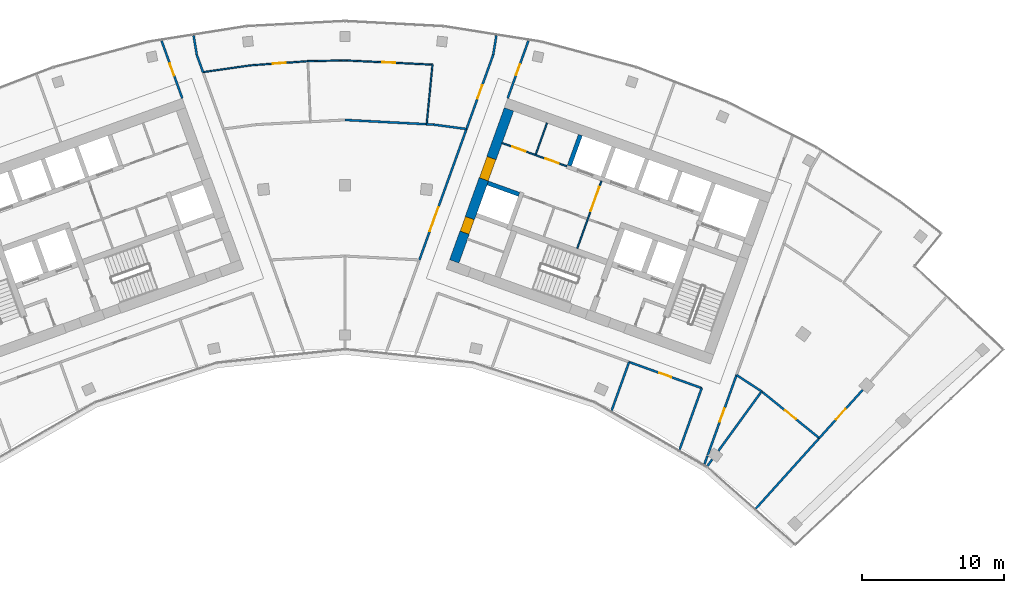
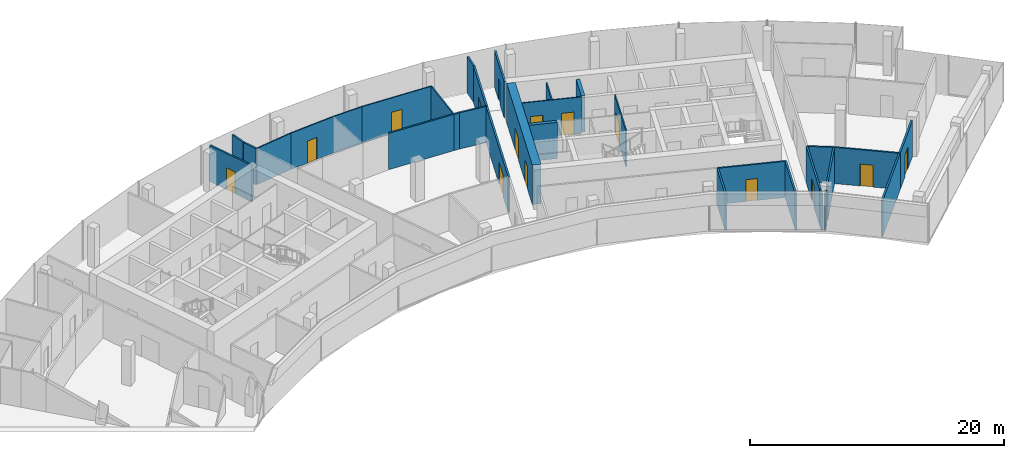
# One storey, part 15 of 18: 32 walls, 15 doors, 15 openings.
"""IFC4 building model written with IfcOpenShell, lengths in metres."""

from ifc_helpers import new_model, si_unit, direction, frame, frame_2d, origin, place, context, subcontext, project, spatial, rectangle, extrude, material, layer, layer_set, type_object, element, fill, save


model = new_model("IFC4")

# Units and contexts
model_context = context("Model", 3, precision=1e-05, world=origin(), true_north=direction((0.0, 1.0)))
body_context = subcontext(model_context, "Body", "Model", "MODEL_VIEW")
ifc_project = project(units=[si_unit("LENGTHUNIT", "METRE"), si_unit("AREAUNIT", "SQUARE_METRE"), si_unit("VOLUMEUNIT", "CUBIC_METRE"), si_unit("PLANEANGLEUNIT", "RADIAN"), si_unit("MASSUNIT", "GRAM", prefix="KILO")], contexts=[model_context])

# Site, building, storey
site_placement = place(None, origin())
site = spatial("IfcSite", under=ifc_project, at=site_placement, CompositionType="ELEMENT")
building_placement = place(site_placement, origin())
building = spatial("IfcBuilding", under=site, at=building_placement, Name="Stone Belt Terrace Tower", CompositionType="ELEMENT")
storey_placement = place(building_placement, frame((0.0, 0.0, 265.60009765625)))
storey = spatial("IfcBuildingStorey", under=building, at=storey_placement, Name="L64", CompositionType="ELEMENT", Elevation=265.60009765625)

# Wall, opening, door
ifc_material_1 = material(Name="Plasterboard partition")
ifc_layer_1 = layer(ifc_material_1, 0.10009765625)
ifc_layer_set_1 = layer_set([ifc_layer_1], Name="Core partition 100")
wall_type_1 = type_object("IfcWallType", Name="Core partition 100", PredefinedType="PARTITIONING", material=ifc_layer_set_1)
wall_1_placement = place(storey_placement, frame((16.38134765625, 50.53857421875, 0.0), z_axis=(0.0, 0.0, 1.0), x_axis=(0.33860476744, 0.940928696271, 0.0)))
wall_1 = element("IfcWall", 1, at=wall_1_placement, inside=storey, type_object=wall_type_1, Name="Core B wall", PredefinedType="PARTITIONING", context=body_context, shape_type="SweptSolid", body=[
    extrude(rectangle(XDim=5.050048828125, YDim=0.10009765625, at=frame_2d((2.52490234375, 0.0))), origin(), (0.0, 0.0, 1.0), 3.47998046875),
])
opening_1_placement = place(wall_1_placement, frame((2.800048828125, 0.0, 0.0)))
opening_1 = element("IfcOpeningElement", 2, at=opening_1_placement, cuts=wall_1, Name="Opening L64-C24", PredefinedType="OPENING", context=body_context, shape_type="SweptSolid", body=[
    extrude(rectangle(XDim=1.800048828125, YDim=2.10009765625, at=frame_2d((0.89990234375, 1.050048828125))), frame((0.0, 0.06005859375, 0.0), z_axis=(0.0, -1.0, 0.0), x_axis=(1.0, 0.0, 0.0)), (0.0, 0.0, 1.0), 0.1201171875),
])
ifc_material_2 = material(Name="Glazed aluminium door leaf", Category="aluminium")
door_type_1 = type_object("IfcDoorType", Name="Lift lobby entrance door 1800", OperationType="DOUBLE_DOOR_SINGLE_SWING", PredefinedType="DOOR", material=ifc_material_2)
door_1_placement = place(opening_1_placement, origin())
door_1 = element("IfcDoor", 3, at=door_1_placement, inside=storey, type_object=door_type_1, Name="Lift lobby double door core B", OperationType="DOUBLE_DOOR_SINGLE_SWING", OverallHeight=2.10009765625, OverallWidth=1.800048828125, PredefinedType="DOOR", context=body_context, shape_type="SweptSolid", body=[
    extrude(rectangle(XDim=1.800048828125, YDim=2.10009765625, at=frame_2d((0.89990234375, 1.050048828125))), frame((0.0, 0.02490234375, 0.0), z_axis=(0.0, -1.0, 0.0), x_axis=(1.0, 0.0, 0.0)), (0.0, 0.0, 1.0), 0.050048828125),
])
fill(opening_1, door_1)

# Wall, openings, doors
wall_2_placement = place(storey_placement, frame((15.648681640625, 56.32861328125, 0.0), z_axis=(0.0, 0.0, 1.0), x_axis=(-0.940905377977, 0.338669558262, 0.0)))
wall_2 = element("IfcWall", 4, at=wall_2_placement, inside=storey, type_object=wall_type_1, Name="Core B wall", PredefinedType="PARTITIONING", context=body_context, shape_type="SweptSolid", body=[
    extrude(rectangle(XDim=4.85009765625, YDim=0.10009765625, at=frame_2d((2.425048828125, 0.0))), origin(), (0.0, 0.0, 1.0), 3.47998046875),
])
opening_2_placement = place(wall_2_placement, frame((0.60009765625, 0.0, 0.0)))
opening_2 = element("IfcOpeningElement", 5, at=opening_2_placement, cuts=wall_2, Name="Opening L64-C17", PredefinedType="OPENING", context=body_context, shape_type="SweptSolid", body=[
    extrude(rectangle(XDim=1.0, YDim=2.10009765625, at=frame_2d((0.5, 1.050048828125))), frame((0.0, 0.06005859375, 0.0), z_axis=(0.0, -1.0, 0.0), x_axis=(1.0, 0.0, 0.0)), (0.0, 0.0, 1.0), 0.1201171875),
])
opening_3_placement = place(wall_2_placement, frame((3.10009765625, 0.0, 0.0)))
opening_3 = element("IfcOpeningElement", 6, at=opening_3_placement, cuts=wall_2, Name="Opening L64-C18", PredefinedType="OPENING", context=body_context, shape_type="SweptSolid", body=[
    extrude(rectangle(XDim=1.0, YDim=2.10009765625, at=frame_2d((0.5, 1.050048828125))), frame((0.0, 0.06005859375, 0.0), z_axis=(0.0, -1.0, 0.0), x_axis=(1.0, 0.0, 0.0)), (0.0, 0.0, 1.0), 0.1201171875),
])
ifc_material_3 = material(Name="Timber door leaf", Category="wood")
door_type_2 = type_object("IfcDoorType", Name="Core room door 1000", OperationType="SINGLE_SWING_LEFT", PredefinedType="DOOR", material=ifc_material_3)
door_2_placement = place(opening_2_placement, origin())
door_2 = element("IfcDoor", 7, at=door_2_placement, inside=storey, type_object=door_type_2, Name="Door to Print and copy room core B", OperationType="SINGLE_SWING_RIGHT", OverallHeight=2.10009765625, OverallWidth=1.0, PredefinedType="DOOR", context=body_context, shape_type="SweptSolid", body=[
    extrude(rectangle(XDim=1.0, YDim=2.10009765625, at=frame_2d((0.5, 1.050048828125))), frame((0.0, 0.02490234375, 0.0), z_axis=(0.0, -1.0, 0.0), x_axis=(1.0, 0.0, 0.0)), (0.0, 0.0, 1.0), 0.050048828125),
])
fill(opening_2, door_2)
door_3_placement = place(opening_3_placement, origin())
door_3 = element("IfcDoor", 8, at=door_3_placement, inside=storey, type_object=door_type_2, Name="Door to Pantry core B", OperationType="SINGLE_SWING_LEFT", OverallHeight=2.10009765625, OverallWidth=1.0, PredefinedType="DOOR", context=body_context, shape_type="SweptSolid", body=[
    extrude(rectangle(XDim=1.0, YDim=2.10009765625, at=frame_2d((0.5, 1.050048828125))), frame((0.0, 0.02490234375, 0.0), z_axis=(0.0, -1.0, 0.0), x_axis=(1.0, 0.0, 0.0)), (0.0, 0.0, 1.0), 0.050048828125),
])
fill(opening_3, door_3)

# Wall
wall_3_placement = place(storey_placement, frame((13.45458984375, 57.171630859375, 0.0), z_axis=(0.0, 0.0, 1.0), x_axis=(0.338579668317, 0.940937728121, 0.0)))
element("IfcWall", 9, at=wall_3_placement, inside=storey, type_object=wall_type_1, Name="Core B wall", PredefinedType="PARTITIONING", context=body_context, shape_type="SweptSolid", body=[
    extrude(rectangle(XDim=2.35009765625, YDim=0.10009765625, at=frame_2d((1.175048828125, 0.0))), origin(), (0.0, 0.0, 1.0), 3.47998046875),
])

# Wall, openings, doors
ifc_material_4 = material(Name="Concrete B60", Category="concrete")
ifc_layer_2 = layer(ifc_material_4, 0.699951171875)
ifc_layer_set_2 = layer_set([ifc_layer_2], Name="Core wall 700 B60")
wall_type_2 = type_object("IfcWallType", Name="Core wall 700 B60", PredefinedType="SHEAR", material=ifc_layer_set_2)
wall_4_placement = place(storey_placement, frame((7.70849609375, 49.621337890625, 0.0), z_axis=(0.0, 0.0, 1.0), x_axis=(0.338606471282, 0.940928083121, 0.0)))
wall_4 = element("IfcWall", 10, at=wall_4_placement, inside=storey, type_object=wall_type_2, Name="Core B wall end_a L64", PredefinedType="SHEAR", context=body_context, shape_type="SweptSolid", body=[
    extrude(rectangle(XDim=11.39990234375, YDim=0.699951171875, at=frame_2d((5.699951171875, 0.0))), origin(), (0.0, 0.0, 1.0), 3.7998046875),
])
opening_4_placement = place(wall_4_placement, frame((6.14990234375, 0.0, 0.0)))
opening_4 = element("IfcOpeningElement", 11, at=opening_4_placement, cuts=wall_4, Name="Opening L64-C25", PredefinedType="OPENING", context=body_context, shape_type="SweptSolid", body=[
    extrude(rectangle(XDim=1.60009765625, YDim=2.10009765625, at=frame_2d((0.800048828125, 1.050048828125))), frame((0.0, 0.35986328125, 0.0), z_axis=(0.0, -1.0, 0.0), x_axis=(1.0, 0.0, 0.0)), (0.0, 0.0, 1.0), 0.719970703125),
])
opening_5_placement = place(wall_4_placement, frame((2.14990234375, 0.0, 0.0)))
opening_5 = element("IfcOpeningElement", 12, at=opening_5_placement, cuts=wall_4, Name="Opening L64-C31", PredefinedType="OPENING", context=body_context, shape_type="SweptSolid", body=[
    extrude(rectangle(XDim=1.10009765625, YDim=2.10009765625, at=frame_2d((0.550048828125, 1.050048828125))), frame((0.0, 0.35986328125, 0.0), z_axis=(0.0, -1.0, 0.0), x_axis=(1.0, 0.0, 0.0)), (0.0, 0.0, 1.0), 0.719970703125),
])
door_type_3 = type_object("IfcDoorType", Name="Core room door 1100", OperationType="SINGLE_SWING_LEFT", PredefinedType="DOOR", material=ifc_material_3)
door_4_placement = place(opening_5_placement, origin())
door_4 = element("IfcDoor", 13, at=door_4_placement, inside=storey, type_object=door_type_3, Name="Door to Accessible WC core B", OperationType="SINGLE_SWING_LEFT", OverallHeight=2.10009765625, OverallWidth=1.10009765625, PredefinedType="DOOR", context=body_context, shape_type="SweptSolid", body=[
    extrude(rectangle(XDim=1.10009765625, YDim=2.10009765625, at=frame_2d((0.550048828125, 1.050048828125))), frame((0.0, 0.330078125, 0.0), z_axis=(0.0, -1.0, 0.0), x_axis=(1.0, 0.0, 0.0)), (0.0, 0.0, 1.0), 0.659912109375),
])
fill(opening_5, door_4)
door_type_4 = type_object("IfcDoorType", Name="Lift lobby entrance door 1600", OperationType="DOUBLE_DOOR_SINGLE_SWING", PredefinedType="DOOR", material=ifc_material_2)
door_5_placement = place(opening_4_placement, origin())
door_5 = element("IfcDoor", 14, at=door_5_placement, inside=storey, type_object=door_type_4, Name="Lift lobby entrance door core B", OperationType="DOUBLE_DOOR_SINGLE_SWING", OverallHeight=2.10009765625, OverallWidth=1.60009765625, PredefinedType="DOOR", context=body_context, shape_type="SweptSolid", body=[
    extrude(rectangle(XDim=1.60009765625, YDim=2.10009765625, at=frame_2d((0.800048828125, 1.050048828125))), frame((0.0, 0.330078125, 0.0), z_axis=(0.0, -1.0, 0.0), x_axis=(1.0, 0.0, 0.0)), (0.0, 0.0, 1.0), 0.659912109375),
])
fill(opening_4, door_5)

# Walls
ifc_material_5 = material(Name="Concrete B80", Category="concrete")
ifc_layer_3 = layer(ifc_material_5, 0.300048828125)
ifc_layer_set_3 = layer_set([ifc_layer_3], Name="Lift shaft wall 300")
wall_type_3 = type_object("IfcWallType", Name="Lift shaft wall 300", PredefinedType="SHEAR", material=ifc_layer_set_3)
wall_5_placement = place(storey_placement, frame((15.82373046875, 56.3720703125, 0.0), z_axis=(0.0, 0.0, 1.0), x_axis=(0.338621735342, 0.94092258999, 0.0)))
element("IfcWall", 15, at=wall_5_placement, inside=storey, type_object=wall_type_3, Name="Core B wall", PredefinedType="SHEAR", context=body_context, shape_type="SweptSolid", body=[
    extrude(rectangle(XDim=2.300048828125, YDim=0.300048828125, at=frame_2d((1.14990234375, 0.0))), origin(), (0.0, 0.0, 1.0), 3.47998046875),
])
wall_6_placement = place(storey_placement, frame((12.280517578125, 54.3525390625, 0.0), z_axis=(0.0, 0.0, 1.0), x_axis=(-0.940925816745, 0.338612769078, 0.0)))
element("IfcWall", 16, at=wall_6_placement, inside=storey, type_object=wall_type_3, Name="Core B wall", PredefinedType="SHEAR", context=body_context, shape_type="SweptSolid", body=[
    extrude(rectangle(XDim=2.349853515625, YDim=0.300048828125, at=frame_2d((1.1748046875, 0.0))), origin(), (0.0, 0.0, 1.0), 3.47998046875),
])

# Wall, opening, door
ifc_material_6 = material(Name="Gypsum board partition")
ifc_layer_4 = layer(ifc_material_6, 0.10009765625)
ifc_layer_set_4 = layer_set([ifc_layer_4], Name="PARTITION 100")
wall_type_4 = type_object("IfcWallType", Name="PARTITION 100", PredefinedType="PARTITIONING", material=ifc_layer_set_4)
wall_7_placement = place(storey_placement, frame((-2.615966796875, 63.74609375, 0.0), z_axis=(0.0, 0.0, 1.0), x_axis=(-0.997341183584, -0.072873613378, 0.0)))
wall_7 = element("IfcWall", 17, at=wall_7_placement, inside=storey, type_object=wall_type_4, Name="L64/wall/i079", PredefinedType="PARTITIONING", context=body_context, shape_type="SweptSolid", body=[
    extrude(rectangle(XDim=4.063720703125, YDim=0.10009765625, at=frame_2d((2.03173828125, 0.0))), origin(), (0.0, 0.0, 1.0), 3.47998046875),
])
opening_6_placement = place(wall_7_placement, frame((1.581787109375, 0.0, 0.0)))
opening_6 = element("IfcOpeningElement", 18, at=opening_6_placement, cuts=wall_7, Name="Opening D-E1-28", PredefinedType="OPENING", context=body_context, shape_type="SweptSolid", body=[
    extrude(rectangle(XDim=0.89990234375, YDim=2.10009765625, at=frame_2d((0.449951171875, 1.050048828125))), frame((0.0, 0.06005859375, 0.0), z_axis=(0.0, -1.0, 0.0), x_axis=(1.0, 0.0, 0.0)), (0.0, 0.0, 1.0), 0.1201171875),
])
door_type_5 = type_object("IfcDoorType", Name="OFFICE DOOR 900 X 2100", OperationType="NOTDEFINED", PredefinedType="DOOR", material=ifc_material_3)
door_6_placement = place(opening_6_placement, origin())
door_6 = element("IfcDoor", 19, at=door_6_placement, inside=storey, type_object=door_type_5, Name="L64/door/i28", OperationType="SINGLE_SWING_RIGHT", OverallHeight=2.10009765625, OverallWidth=0.89990234375, PredefinedType="DOOR", context=body_context, shape_type="SweptSolid", body=[
    extrude(rectangle(XDim=0.89990234375, YDim=2.10009765625, at=frame_2d((0.449951171875, 1.050048828125))), frame((0.0, 0.02490234375, 0.0), z_axis=(0.0, -1.0, 0.0), x_axis=(1.0, 0.0, 0.0)), (0.0, 0.0, 1.0), 0.050048828125),
])
fill(opening_6, door_6)

# Walls
wall_8_placement = place(storey_placement, frame((-6.6689453125, 63.449951171875, 0.0), z_axis=(0.0, 0.0, 1.0), x_axis=(-0.989995655043, -0.141097849012, 0.0)))
element("IfcWall", 20, at=wall_8_placement, inside=storey, type_object=wall_type_4, Name="L64/wall/i080", PredefinedType="PARTITIONING", context=body_context, shape_type="SweptSolid", body=[
    extrude(rectangle(XDim=3.381103515625, YDim=0.10009765625, at=frame_2d((1.6904296875, 0.0))), origin(), (0.0, 0.0, 1.0), 3.47998046875),
])
wall_9_placement = place(storey_placement, frame((5.761962890625, 59.298095703125, 0.0), z_axis=(0.0, 0.0, 1.0), x_axis=(0.096841544276, 0.995299811766, 0.0)))
element("IfcWall", 21, at=wall_9_placement, inside=storey, type_object=wall_type_4, Name="L64/wall/i081", PredefinedType="PARTITIONING", context=body_context, shape_type="SweptSolid", body=[
    extrude(rectangle(XDim=4.22265625, YDim=0.10009765625, at=frame_2d((2.111328125, 0.0))), origin(), (0.0, 0.0, 1.0), 3.47998046875),
])

# Wall, opening, door
wall_10_placement = place(storey_placement, frame((6.1708984375, 63.5009765625, 0.0), z_axis=(0.0, 0.0, 1.0), x_axis=(-0.998827639329, 0.048408128587, 0.0)))
wall_10 = element("IfcWall", 22, at=wall_10_placement, inside=storey, type_object=wall_type_4, Name="L64/wall/i082", PredefinedType="PARTITIONING", context=body_context, shape_type="SweptSolid", body=[
    extrude(rectangle(XDim=6.17822265625, YDim=0.10009765625, at=frame_2d((3.089111328125, 0.0))), origin(), (0.0, 0.0, 1.0), 3.47998046875),
])
opening_7_placement = place(wall_10_placement, frame((2.63916015625, 0.0, 0.0)))
opening_7 = element("IfcOpeningElement", 23, at=opening_7_placement, cuts=wall_10, Name="Opening D-E1-29", PredefinedType="OPENING", context=body_context, shape_type="SweptSolid", body=[
    extrude(rectangle(XDim=0.89990234375, YDim=2.10009765625, at=frame_2d((0.449951171875, 1.050048828125))), frame((0.0, 0.06005859375, 0.0), z_axis=(0.0, -1.0, 0.0), x_axis=(1.0, 0.0, 0.0)), (0.0, 0.0, 1.0), 0.1201171875),
])
door_7_placement = place(opening_7_placement, origin())
door_7 = element("IfcDoor", 24, at=door_7_placement, inside=storey, type_object=door_type_5, Name="L64/door/i29", OperationType="SINGLE_SWING_RIGHT", OverallHeight=2.10009765625, OverallWidth=0.89990234375, PredefinedType="DOOR", context=body_context, shape_type="SweptSolid", body=[
    extrude(rectangle(XDim=0.89990234375, YDim=2.10009765625, at=frame_2d((0.449951171875, 1.050048828125))), frame((0.0, 0.02490234375, 0.0), z_axis=(0.0, -1.0, 0.0), x_axis=(1.0, 0.0, 0.0)), (0.0, 0.0, 1.0), 0.050048828125),
])
fill(opening_7, door_7)

# Wall
wall_11_placement = place(storey_placement, frame((0.0, 63.800048828125, 0.0), z_axis=(0.0, 0.0, 1.0), x_axis=(-0.999787366511, -0.020620906019, 0.0)))
element("IfcWall", 25, at=wall_11_placement, inside=storey, type_object=wall_type_4, Name="L64/wall/i083", PredefinedType="PARTITIONING", context=body_context, shape_type="SweptSolid", body=[
    extrude(rectangle(XDim=2.616455078125, YDim=0.10009765625, at=frame_2d((1.30810546875, 0.0))), origin(), (0.0, 0.0, 1.0), 3.47998046875),
])

# Wall, opening, door
ifc_layer_5 = layer(ifc_material_6, 0.14990234375)
ifc_layer_set_5 = layer_set([ifc_layer_5], Name="PARTITION 150 EI 60")
wall_type_5 = type_object("IfcWallType", Name="PARTITION 150 EI 60", PredefinedType="PARTITIONING", material=ifc_layer_set_5)
wall_12_placement = place(storey_placement, frame((-11.47607421875, 61.125, 0.0), z_axis=(0.0, 0.0, 1.0), x_axis=(-0.338779570005, 0.940865773077, 0.0)))
wall_12 = element("IfcWall", 26, at=wall_12_placement, inside=storey, type_object=wall_type_5, Name="L64/wall/i010", PredefinedType="PARTITIONING", context=body_context, shape_type="SweptSolid", body=[
    extrude(rectangle(XDim=4.315185546875, YDim=0.14990234375, at=frame_2d((2.15771484375, 0.0))), origin(), (0.0, 0.0, 1.0), 3.47998046875),
])
opening_8_placement = place(wall_12_placement, frame((1.70751953125, 0.0, 0.0)))
opening_8 = element("IfcOpeningElement", 27, at=opening_8_placement, cuts=wall_12, Name="Opening D-E1-05", PredefinedType="OPENING", context=body_context, shape_type="SweptSolid", body=[
    extrude(rectangle(XDim=0.89990234375, YDim=2.10009765625, at=frame_2d((0.449951171875, 1.050048828125))), frame((0.0, 0.0849609375, 0.0), z_axis=(0.0, -1.0, 0.0), x_axis=(1.0, 0.0, 0.0)), (0.0, 0.0, 1.0), 0.169921875),
])
door_8_placement = place(opening_8_placement, origin())
door_8 = element("IfcDoor", 28, at=door_8_placement, inside=storey, type_object=door_type_5, Name="L64/door/i05", OperationType="SINGLE_SWING_RIGHT", OverallHeight=2.10009765625, OverallWidth=0.89990234375, PredefinedType="DOOR", context=body_context, shape_type="SweptSolid", body=[
    extrude(rectangle(XDim=0.89990234375, YDim=2.10009765625, at=frame_2d((0.449951171875, 1.050048828125))), frame((0.0, 0.02490234375, 0.0), z_axis=(0.0, -1.0, 0.0), x_axis=(1.0, 0.0, 0.0)), (0.0, 0.0, 1.0), 0.050048828125),
])
fill(opening_8, door_8)

# Walls
wall_13_placement = place(storey_placement, frame((-10.676025390625, 65.544677734375, 0.0), z_axis=(0.0, 0.0, 1.0), x_axis=(0.161206587406, -0.986920683833, 0.0)))
element("IfcWall", 29, at=wall_13_placement, inside=storey, type_object=wall_type_5, Name="L64/wall/i012", PredefinedType="PARTITIONING", context=body_context, shape_type="SweptSolid", body=[
    extrude(rectangle(XDim=1.364501953125, YDim=0.14990234375, at=frame_2d((0.68212890625, 0.0))), origin(), (0.0, 0.0, 1.0), 3.47998046875),
])
wall_14_placement = place(storey_placement, frame((-10.4560546875, 64.197021484375, 0.0), z_axis=(0.0, 0.0, 1.0), x_axis=(0.338937678116, -0.94080882774, 0.0)))
element("IfcWall", 30, at=wall_14_placement, inside=storey, type_object=wall_type_5, Name="L64/wall/i013", PredefinedType="PARTITIONING", context=body_context, shape_type="SweptSolid", body=[
    extrude(rectangle(XDim=1.307373046875, YDim=0.14990234375, at=frame_2d((0.65380859375, 0.0))), origin(), (0.0, 0.0, 1.0), 3.47998046875),
])

# Wall, opening, door
wall_15_placement = place(storey_placement, frame((12.93798828125, 65.18505859375, 0.0), z_axis=(0.0, 0.0, 1.0), x_axis=(-0.338779570005, -0.940865773077, 0.0)))
wall_15 = element("IfcWall", 31, at=wall_15_placement, inside=storey, type_object=wall_type_5, Name="L64/wall/i023", PredefinedType="PARTITIONING", context=body_context, shape_type="SweptSolid", body=[
    extrude(rectangle(XDim=4.315185546875, YDim=0.14990234375, at=frame_2d((2.15771484375, 0.0))), origin(), (0.0, 0.0, 1.0), 3.47998046875),
])
opening_9_placement = place(wall_15_placement, frame((1.757568359375, 0.0, 0.0)))
opening_9 = element("IfcOpeningElement", 32, at=opening_9_placement, cuts=wall_15, Name="Opening D-E1-09", PredefinedType="OPENING", context=body_context, shape_type="SweptSolid", body=[
    extrude(rectangle(XDim=0.800048828125, YDim=2.10009765625, at=frame_2d((0.39990234375, 1.050048828125))), frame((0.0, 0.0849609375, 0.0), z_axis=(0.0, -1.0, 0.0), x_axis=(1.0, 0.0, 0.0)), (0.0, 0.0, 1.0), 0.169921875),
])
door_type_6 = type_object("IfcDoorType", Name="STORE DOOR 800 X 2100", OperationType="NOTDEFINED", PredefinedType="DOOR", material=ifc_material_3)
door_9_placement = place(opening_9_placement, origin())
door_9 = element("IfcDoor", 33, at=door_9_placement, inside=storey, type_object=door_type_6, Name="L64/door/i09", OperationType="SINGLE_SWING_RIGHT", OverallHeight=2.10009765625, OverallWidth=0.800048828125, PredefinedType="DOOR", context=body_context, shape_type="SweptSolid", body=[
    extrude(rectangle(XDim=0.800048828125, YDim=2.10009765625, at=frame_2d((0.39990234375, 1.050048828125))), frame((0.0, 0.02490234375, 0.0), z_axis=(0.0, -1.0, 0.0), x_axis=(1.0, 0.0, 0.0)), (0.0, 0.0, 1.0), 0.050048828125),
])
fill(opening_9, door_9)

wall_16_placement = place(storey_placement, frame((8.569091796875, 58.9541015625, 0.0), z_axis=(0.0, 0.0, 1.0), x_axis=(0.33864189196, 0.940915335729, 0.0)))
wall_16 = element("IfcWall", 34, at=wall_16_placement, inside=storey, type_object=wall_type_5, Name="L64/wall/i025", PredefinedType="PARTITIONING", context=body_context, shape_type="SweptSolid", body=[
    extrude(rectangle(XDim=5.572265625, YDim=0.14990234375, at=frame_2d((2.7861328125, 0.0))), origin(), (0.0, 0.0, 1.0), 3.47998046875),
])
opening_10_placement = place(wall_16_placement, frame((2.2861328125, 0.0, 0.0)))
opening_10 = element("IfcOpeningElement", 35, at=opening_10_placement, cuts=wall_16, Name="Opening D-E1-27", PredefinedType="OPENING", context=body_context, shape_type="SweptSolid", body=[
    extrude(rectangle(XDim=1.0, YDim=2.10009765625, at=frame_2d((0.5, 1.050048828125))), frame((0.0, 0.0849609375, 0.0), z_axis=(0.0, -1.0, 0.0), x_axis=(1.0, 0.0, 0.0)), (0.0, 0.0, 1.0), 0.169921875),
])
ifc_material_7 = material(Name="Timber fire door leaf", Category="wood")
door_type_7 = type_object("IfcDoorType", Name="TENANCY ENTRANCE DOOR 1000 X 2100", OperationType="NOTDEFINED", PredefinedType="DOOR", material=ifc_material_7)
door_10_placement = place(opening_10_placement, origin())
door_10 = element("IfcDoor", 36, at=door_10_placement, inside=storey, type_object=door_type_7, Name="L64/door/i27", OperationType="SINGLE_SWING_RIGHT", OverallHeight=2.10009765625, OverallWidth=1.0, PredefinedType="DOOR", context=body_context, shape_type="SweptSolid", body=[
    extrude(rectangle(XDim=1.0, YDim=2.10009765625, at=frame_2d((0.5, 1.050048828125))), frame((0.0, 0.02490234375, 0.0), z_axis=(0.0, -1.0, 0.0), x_axis=(1.0, 0.0, 0.0)), (0.0, 0.0, 1.0), 0.050048828125),
])
fill(opening_10, door_10)

# Wall
wall_17_placement = place(storey_placement, frame((10.4560546875, 64.197998046875, 0.0), z_axis=(0.0, 0.0, 1.0), x_axis=(0.161206587406, 0.986920683833, 0.0)))
element("IfcWall", 37, at=wall_17_placement, inside=storey, type_object=wall_type_5, Name="L64/wall/i026", PredefinedType="PARTITIONING", context=body_context, shape_type="SweptSolid", body=[
    extrude(rectangle(XDim=1.364501953125, YDim=0.14990234375, at=frame_2d((0.68212890625, 0.0))), origin(), (0.0, 0.0, 1.0), 3.47998046875),
])

# Wall, opening, door
wall_18_placement = place(storey_placement, frame((5.2451171875, 49.717041015625, 0.0), z_axis=(0.0, 0.0, 1.0), x_axis=(0.338560271088, 0.940944707643, 0.0)))
wall_18 = element("IfcWall", 38, at=wall_18_placement, inside=storey, type_object=wall_type_5, Name="L64/wall/i027", PredefinedType="PARTITIONING", context=body_context, shape_type="SweptSolid", body=[
    extrude(rectangle(XDim=9.82958984375, YDim=0.14990234375, at=frame_2d((4.914794921875, 0.0))), origin(), (0.0, 0.0, 1.0), 3.47998046875),
])
opening_11_placement = place(wall_18_placement, frame((2.157470703125, 0.0, 0.0)))
opening_11 = element("IfcOpeningElement", 39, at=opening_11_placement, cuts=wall_18, Name="Opening D-E1-30", PredefinedType="OPENING", context=body_context, shape_type="SweptSolid", body=[
    extrude(rectangle(XDim=1.800048828125, YDim=2.10009765625, at=frame_2d((0.89990234375, 1.050048828125))), frame((0.0, 0.0849609375, 0.0), z_axis=(0.0, -1.0, 0.0), x_axis=(1.0, 0.0, 0.0)), (0.0, 0.0, 1.0), 0.169921875),
])
door_type_8 = type_object("IfcDoorType", Name="DOUBLE DOOR 1800 X 2100", OperationType="DOUBLE_DOOR_SINGLE_SWING", PredefinedType="DOOR", material=ifc_material_3)
door_11_placement = place(opening_11_placement, origin())
door_11 = element("IfcDoor", 40, at=door_11_placement, inside=storey, type_object=door_type_8, Name="L64/door/i30", OperationType="DOUBLE_DOOR_SINGLE_SWING", OverallHeight=2.10009765625, OverallWidth=1.800048828125, PredefinedType="DOOR", context=body_context, shape_type="SweptSolid", body=[
    extrude(rectangle(XDim=1.800048828125, YDim=2.10009765625, at=frame_2d((0.89990234375, 1.050048828125))), frame((0.0, 0.02490234375, 0.0), z_axis=(0.0, -1.0, 0.0), x_axis=(1.0, 0.0, 0.0)), (0.0, 0.0, 1.0), 0.050048828125),
])
fill(opening_11, door_11)

# Wall
wall_19_placement = place(storey_placement, frame((23.596435546875, 36.3310546875, 0.0), z_axis=(0.0, 0.0, 1.0), x_axis=(0.338672803798, 0.940904209773, 0.0)))
element("IfcWall", 41, at=wall_19_placement, inside=storey, type_object=wall_type_5, Name="L64/wall/i028", PredefinedType="PARTITIONING", context=body_context, shape_type="SweptSolid", body=[
    extrude(rectangle(XDim=4.631591796875, YDim=0.14990234375, at=frame_2d((2.31591796875, 0.0))), origin(), (0.0, 0.0, 1.0), 3.47998046875),
])

# Wall, opening, door
wall_20_placement = place(storey_placement, frame((27.6220703125, 41.613037109375, 0.0), z_axis=(0.0, 0.0, 1.0), x_axis=(-0.338636303074, -0.940917347188, 0.0)))
wall_20 = element("IfcWall", 42, at=wall_20_placement, inside=storey, type_object=wall_type_5, Name="L64/wall/i030", PredefinedType="PARTITIONING", context=body_context, shape_type="SweptSolid", body=[
    extrude(rectangle(XDim=6.029296875, YDim=0.14990234375, at=frame_2d((3.0146484375, 0.0))), origin(), (0.0, 0.0, 1.0), 3.47998046875),
])
opening_12_placement = place(wall_20_placement, frame((2.5146484375, 0.0, 0.0)))
opening_12 = element("IfcOpeningElement", 43, at=opening_12_placement, cuts=wall_20, Name="Opening D-E1-20", PredefinedType="OPENING", context=body_context, shape_type="SweptSolid", body=[
    extrude(rectangle(XDim=1.0, YDim=2.10009765625, at=frame_2d((0.5, 1.050048828125))), frame((0.0, 0.0849609375, 0.0), z_axis=(0.0, -1.0, 0.0), x_axis=(1.0, 0.0, 0.0)), (0.0, 0.0, 1.0), 0.169921875),
])
door_12_placement = place(opening_12_placement, origin())
door_12 = element("IfcDoor", 44, at=door_12_placement, inside=storey, type_object=door_type_7, Name="L64/door/i20", OperationType="SINGLE_SWING_RIGHT", OverallHeight=2.10009765625, OverallWidth=1.0, PredefinedType="DOOR", context=body_context, shape_type="SweptSolid", body=[
    extrude(rectangle(XDim=1.0, YDim=2.10009765625, at=frame_2d((0.5, 1.050048828125))), frame((0.0, 0.02490234375, 0.0), z_axis=(0.0, -1.0, 0.0), x_axis=(1.0, 0.0, 0.0)), (0.0, 0.0, 1.0), 0.050048828125),
])
fill(opening_12, door_12)

# Wall
wall_21_placement = place(storey_placement, frame((25.56591796875, 35.900146484375, 0.0), z_axis=(0.0, 0.0, 1.0), x_axis=(-0.338533716033, -0.940954261964, 0.0)))
element("IfcWall", 45, at=wall_21_placement, inside=storey, type_object=wall_type_5, Name="L64/wall/i031", PredefinedType="PARTITIONING", context=body_context, shape_type="SweptSolid", body=[
    extrude(rectangle(XDim=0.60498046875, YDim=0.14990234375, at=frame_2d((0.302490234375, 0.0))), origin(), (0.0, 0.0, 1.0), 3.47998046875),
])

# Wall, opening, door
wall_22_placement = place(storey_placement, frame((25.1630859375, 40.68310546875, 0.0), z_axis=(0.0, 0.0, 1.0), x_axis=(-0.940955920233, 0.338529106841, 0.0)))
wall_22 = element("IfcWall", 46, at=wall_22_placement, inside=storey, type_object=wall_type_5, Name="L64/wall/i038", PredefinedType="PARTITIONING", context=body_context, shape_type="SweptSolid", body=[
    extrude(rectangle(XDim=5.449951171875, YDim=0.14990234375, at=frame_2d((2.72509765625, 0.0))), origin(), (0.0, 0.0, 1.0), 3.47998046875),
])
opening_13_placement = place(wall_22_placement, frame((2.27490234375, 0.0, 0.0)))
opening_13 = element("IfcOpeningElement", 47, at=opening_13_placement, cuts=wall_22, Name="Opening D-E1-08", PredefinedType="OPENING", context=body_context, shape_type="SweptSolid", body=[
    extrude(rectangle(XDim=0.89990234375, YDim=2.10009765625, at=frame_2d((0.449951171875, 1.050048828125))), frame((0.0, 0.0849609375, 0.0), z_axis=(0.0, -1.0, 0.0), x_axis=(1.0, 0.0, 0.0)), (0.0, 0.0, 1.0), 0.169921875),
])
door_13_placement = place(opening_13_placement, origin())
door_13 = element("IfcDoor", 48, at=door_13_placement, inside=storey, type_object=door_type_5, Name="L64/door/i08", OperationType="SINGLE_SWING_RIGHT", OverallHeight=2.10009765625, OverallWidth=0.89990234375, PredefinedType="DOOR", context=body_context, shape_type="SweptSolid", body=[
    extrude(rectangle(XDim=0.89990234375, YDim=2.10009765625, at=frame_2d((0.449951171875, 1.050048828125))), frame((0.0, 0.02490234375, 0.0), z_axis=(0.0, -1.0, 0.0), x_axis=(1.0, 0.0, 0.0)), (0.0, 0.0, 1.0), 0.050048828125),
])
fill(opening_13, door_13)

# Walls
wall_23_placement = place(storey_placement, frame((20.041015625, 42.52587890625, 0.0), z_axis=(0.0, 0.0, 1.0), x_axis=(-0.338584271285, -0.940936071813, 0.0)))
element("IfcWall", 49, at=wall_23_placement, inside=storey, type_object=wall_type_5, Name="L64/wall/i040", PredefinedType="PARTITIONING", context=body_context, shape_type="SweptSolid", body=[
    extrude(rectangle(XDim=3.64501953125, YDim=0.14990234375, at=frame_2d((1.822509765625, 0.0))), origin(), (0.0, 0.0, 1.0), 3.47998046875),
])
wall_24_placement = place(storey_placement, frame((28.97802734375, 32.182373046875, 0.0), z_axis=(0.0, 0.0, 1.0), x_axis=(0.669149941442, 0.743127415635, 0.0)))
element("IfcWall", 50, at=wall_24_placement, inside=storey, type_object=wall_type_5, Name="L64/wall/i063", PredefinedType="PARTITIONING", context=body_context, shape_type="SweptSolid", body=[
    extrude(rectangle(XDim=6.699462890625, YDim=0.14990234375, at=frame_2d((3.349609375, 0.0))), origin(), (0.0, 0.0, 1.0), 3.47998046875),
])

# Wall, opening, door
wall_25_placement = place(storey_placement, frame((36.514892578125, 40.552978515625, 0.0), z_axis=(0.0, 0.0, 1.0), x_axis=(-0.669112093369, -0.74316149423, 0.0)))
wall_25 = element("IfcWall", 51, at=wall_25_placement, inside=storey, type_object=wall_type_5, Name="L64/wall/i065", PredefinedType="PARTITIONING", context=body_context, shape_type="SweptSolid", body=[
    extrude(rectangle(XDim=4.576171875, YDim=0.14990234375, at=frame_2d((2.2880859375, 0.0))), origin(), (0.0, 0.0, 1.0), 3.47998046875),
])
opening_14_placement = place(wall_25_placement, frame((1.7880859375, 0.0, 0.0)))
opening_14 = element("IfcOpeningElement", 52, at=opening_14_placement, cuts=wall_25, Name="Opening D-E1-19", PredefinedType="OPENING", context=body_context, shape_type="SweptSolid", body=[
    extrude(rectangle(XDim=1.0, YDim=2.10009765625, at=frame_2d((0.5, 1.050048828125))), frame((0.0, 0.0849609375, 0.0), z_axis=(0.0, -1.0, 0.0), x_axis=(1.0, 0.0, 0.0)), (0.0, 0.0, 1.0), 0.169921875),
])
door_14_placement = place(opening_14_placement, origin())
door_14 = element("IfcDoor", 53, at=door_14_placement, inside=storey, type_object=door_type_7, Name="L64/door/i19", OperationType="SINGLE_SWING_RIGHT", OverallHeight=2.10009765625, OverallWidth=1.0, PredefinedType="DOOR", context=body_context, shape_type="SweptSolid", body=[
    extrude(rectangle(XDim=1.0, YDim=2.10009765625, at=frame_2d((0.5, 1.050048828125))), frame((0.0, 0.02490234375, 0.0), z_axis=(0.0, -1.0, 0.0), x_axis=(1.0, 0.0, 0.0)), (0.0, 0.0, 1.0), 0.050048828125),
])
fill(opening_14, door_14)

# Walls
wall_26_placement = place(storey_placement, frame((29.388916015625, 40.450927734375, 0.0), z_axis=(0.0, 0.0, 1.0), x_axis=(-0.587792932673, -0.809011414196, 0.0)))
element("IfcWall", 54, at=wall_26_placement, inside=storey, type_object=wall_type_5, Name="L64/wall/i067", PredefinedType="PARTITIONING", context=body_context, shape_type="SweptSolid", body=[
    extrude(rectangle(XDim=5.1748046875, YDim=0.14990234375, at=frame_2d((2.58740234375, 0.0))), origin(), (0.0, 0.0, 1.0), 3.47998046875),
])
wall_27_placement = place(storey_placement, frame((25.900634765625, 35.6494140625, 0.0), z_axis=(0.0, 0.0, 1.0), x_axis=(-0.588120346537, -0.808773428093, 0.0)))
element("IfcWall", 55, at=wall_27_placement, inside=storey, type_object=wall_type_5, Name="L64/wall/i068", PredefinedType="PARTITIONING", context=body_context, shape_type="SweptSolid", body=[
    extrude(rectangle(XDim=0.5654296875, YDim=0.14990234375, at=frame_2d((0.28271484375, 0.0))), origin(), (0.0, 0.0, 1.0), 3.47998046875),
])
wall_28_placement = place(storey_placement, frame((27.6201171875, 41.60693359375, 0.0), z_axis=(0.0, 0.0, 1.0), x_axis=(0.837081543775, -0.547078137995, 0.0)))
element("IfcWall", 56, at=wall_28_placement, inside=storey, type_object=wall_type_5, Name="L64/wall/i069", PredefinedType="PARTITIONING", context=body_context, shape_type="SweptSolid", body=[
    extrude(rectangle(XDim=2.113037109375, YDim=0.14990234375, at=frame_2d((1.056640625, 0.0))), origin(), (0.0, 0.0, 1.0), 3.47998046875),
])

# Wall, opening, door
wall_29_placement = place(storey_placement, frame((33.45703125, 37.156982421875, 0.0), z_axis=(0.0, 0.0, 1.0), x_axis=(-0.777178610653, 0.629280070512, 0.0)))
wall_29 = element("IfcWall", 57, at=wall_29_placement, inside=storey, type_object=wall_type_5, Name="L64/wall/i070", PredefinedType="PARTITIONING", context=body_context, shape_type="SweptSolid", body=[
    extrude(rectangle(XDim=5.234375, YDim=0.14990234375, at=frame_2d((2.6171875, 0.0))), origin(), (0.0, 0.0, 1.0), 3.47998046875),
])
opening_15_placement = place(wall_29_placement, frame((2.1171875, 0.0, 0.0)))
opening_15 = element("IfcOpeningElement", 58, at=opening_15_placement, cuts=wall_29, Name="Opening D-E1-21", PredefinedType="OPENING", context=body_context, shape_type="SweptSolid", body=[
    extrude(rectangle(XDim=1.0, YDim=2.10009765625, at=frame_2d((0.5, 1.050048828125))), frame((0.0, 0.0849609375, 0.0), z_axis=(0.0, -1.0, 0.0), x_axis=(1.0, 0.0, 0.0)), (0.0, 0.0, 1.0), 0.169921875),
])
door_15_placement = place(opening_15_placement, origin())
door_15 = element("IfcDoor", 59, at=door_15_placement, inside=storey, type_object=door_type_7, Name="L64/door/i21", OperationType="SINGLE_SWING_RIGHT", OverallHeight=2.10009765625, OverallWidth=1.0, PredefinedType="DOOR", context=body_context, shape_type="SweptSolid", body=[
    extrude(rectangle(XDim=1.0, YDim=2.10009765625, at=frame_2d((0.5, 1.050048828125))), frame((0.0, 0.02490234375, 0.0), z_axis=(0.0, -1.0, 0.0), x_axis=(1.0, 0.0, 0.0)), (0.0, 0.0, 1.0), 0.050048828125),
])
fill(opening_15, door_15)

# Walls
wall_30_placement = place(storey_placement, frame((8.572021484375, 58.9599609375, 0.0), z_axis=(0.0, 0.0, 1.0), x_axis=(-0.991133806979, 0.132867515457, 0.0)))
element("IfcWall", 60, at=wall_30_placement, inside=storey, type_object=wall_type_5, Name="L64/wall/i084", PredefinedType="PARTITIONING", context=body_context, shape_type="SweptSolid", body=[
    extrude(rectangle(XDim=2.363037109375, YDim=0.14990234375, at=frame_2d((1.181640625, 0.0))), origin(), (0.0, 0.0, 1.0), 3.47998046875),
])
wall_31_placement = place(storey_placement, frame((6.22998046875, 59.27392578125, 0.0), z_axis=(0.0, 0.0, 1.0), x_axis=(-0.998669151792, 0.051574463238, 0.0)))
element("IfcWall", 61, at=wall_31_placement, inside=storey, type_object=wall_type_5, Name="L64/wall/i085", PredefinedType="PARTITIONING", context=body_context, shape_type="SweptSolid", body=[
    extrude(rectangle(XDim=0.46875, YDim=0.14990234375, at=frame_2d((0.234375, 0.0))), origin(), (0.0, 0.0, 1.0), 3.47998046875),
])
wall_32_placement = place(storey_placement, frame((5.761962890625, 59.298095703125, 0.0), z_axis=(0.0, 0.0, 1.0), x_axis=(-0.998629260518, 0.052341188732, 0.0)))
element("IfcWall", 62, at=wall_32_placement, inside=storey, type_object=wall_type_5, Name="L64/wall/i089", PredefinedType="PARTITIONING", context=body_context, shape_type="SweptSolid", body=[
    extrude(rectangle(XDim=5.769775390625, YDim=0.14990234375, at=frame_2d((2.884765625, 0.0))), origin(), (0.0, 0.0, 1.0), 3.47998046875),
])

save(model, "model.ifc")
